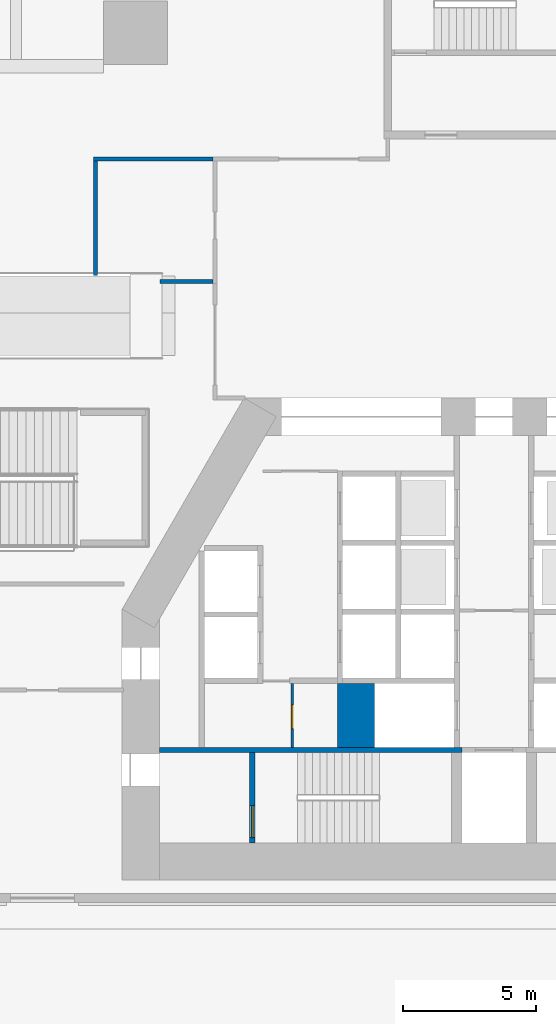
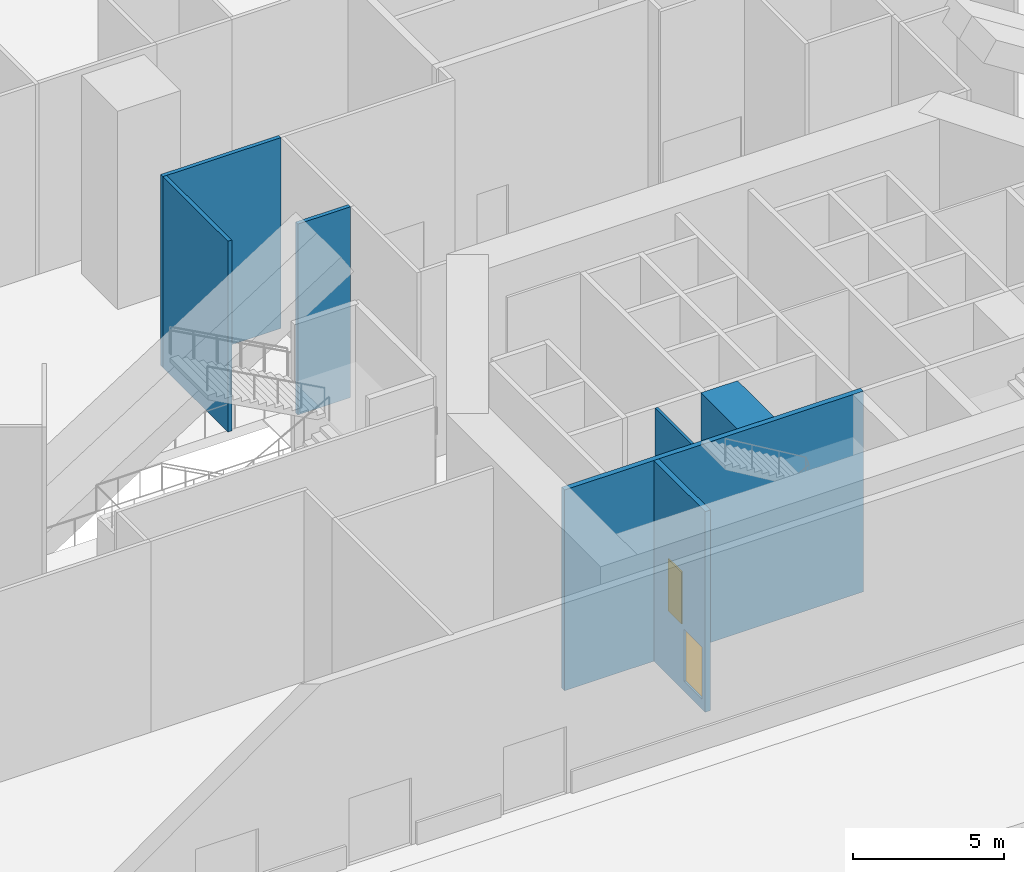
# One storey, part 12 of 24: 7 walls, 2 doors, 2 openings.
"""IFC4 building model written with IfcOpenShell, lengths in metres."""

from ifc_helpers import new_model, si_unit, direction, frame, frame_2d, origin, place, context, subcontext, project, spatial, rectangle, extrude, material, layer, layer_set, type_object, element, fill, save


model = new_model("IFC4")

# Units and contexts
model_context = context("Model", 3, precision=1e-05, world=origin(), true_north=direction((0.0, 1.0)))
body_context = subcontext(model_context, "Body", "Model", "MODEL_VIEW")
ifc_project = project(units=[si_unit("LENGTHUNIT", "METRE"), si_unit("AREAUNIT", "SQUARE_METRE"), si_unit("VOLUMEUNIT", "CUBIC_METRE"), si_unit("PLANEANGLEUNIT", "RADIAN"), si_unit("MASSUNIT", "GRAM", prefix="KILO")], contexts=[model_context])

# Site, building, storey
site_placement = place(None, origin())
site = spatial("IfcSite", under=ifc_project, at=site_placement, CompositionType="ELEMENT")
building_placement = place(site_placement, origin())
building = spatial("IfcBuilding", under=site, at=building_placement, Name="Fogline Exchange Tower", CompositionType="ELEMENT")
storey_placement = place(building_placement, origin())
storey = spatial("IfcBuildingStorey", under=building, at=storey_placement, Name="L00", CompositionType="ELEMENT", Elevation=0.0)

# Wall, opening, door
ifc_material_1 = material(Name="Blockwork partition", Category="masonry")
ifc_layer_1 = layer(ifc_material_1, 0.10009765625)
ifc_layer_set_1 = layer_set([ifc_layer_1], Name="CW10")
wall_type_1 = type_object("IfcWallType", Name="CW10", PredefinedType="PARTITIONING", material=ifc_layer_set_1)
wall_1_placement = place(storey_placement, frame((-7.60009765625, 5.85009765625, 0.0), z_axis=(0.0, 0.0, 1.0), x_axis=(0.0, 1.0, 0.0)))
wall_1 = element("IfcWall", 1, at=wall_1_placement, inside=storey, type_object=wall_type_1, Name="WC partition", PredefinedType="PARTITIONING", context=body_context, shape_type="SweptSolid", body=[
    extrude(rectangle(XDim=2.39990234375, YDim=0.10009765625, at=frame_2d((1.199951171875, 0.0))), origin(), (0.0, 0.0, 1.0), 7.699951171875),
])
opening_1_placement = place(wall_1_placement, frame((0.699951171875, 0.0, 0.0)))
opening_1 = element("IfcOpeningElement", 2, at=opening_1_placement, cuts=wall_1, Name="Opening P00-C009", PredefinedType="OPENING", context=body_context, shape_type="SweptSolid", body=[
    extrude(rectangle(XDim=0.89990234375, YDim=2.10009765625, at=frame_2d((0.449951171875, 1.050048828125))), frame((0.0, 0.06005859375, 0.0), z_axis=(0.0, -1.0, 0.0), x_axis=(1.0, 0.0, 0.0)), (0.0, 0.0, 1.0), 0.1201171875),
])
ifc_material_2 = material(Name="Steel and timber fire door", Category="steel")
door_type_1 = type_object("IfcDoorType", Name="D-CS1", OperationType="SINGLE_SWING_RIGHT", PredefinedType="DOOR", material=ifc_material_2)
door_1_placement = place(opening_1_placement, frame((0.89990234375, 0.0, 0.0), z_axis=(0.0, 0.0, 1.0), x_axis=(-1.0, 0.0, 0.0)))
door_1 = element("IfcDoor", 3, at=door_1_placement, inside=storey, type_object=door_type_1, Name="Door to Cleaner's Store", OperationType="SINGLE_SWING_RIGHT", OverallHeight=2.10009765625, OverallWidth=0.89990234375, PredefinedType="DOOR", context=body_context, shape_type="SweptSolid", body=[
    extrude(rectangle(XDim=0.89990234375, YDim=2.10009765625, at=frame_2d((0.449951171875, 1.050048828125))), frame((0.0, 0.02490234375, 0.0), z_axis=(0.0, -1.0, 0.0), x_axis=(1.0, 0.0, 0.0)), (0.0, 0.0, 1.0), 0.050048828125),
])
fill(opening_1, door_1)

# Walls
ifc_material_3 = material(Name="Concrete C60", Category="concrete")
ifc_layer_2 = layer(ifc_material_3, 1.39990234375)
ifc_layer_set_2 = layer_set([ifc_layer_2], Name="CW140")
wall_type_2 = type_object("IfcWallType", Name="CW140", PredefinedType="SOLIDWALL", material=ifc_layer_set_2)
wall_2_placement = place(storey_placement, frame((-5.199951171875, 5.85009765625, -0.39990234375), z_axis=(0.0, 0.0, 1.0), x_axis=(0.0, 1.0, 0.0)))
element("IfcWall", 4, at=wall_2_placement, inside=storey, type_object=wall_type_2, Name="Lift shaft block wall", PredefinedType="SOLIDWALL", context=body_context, shape_type="SweptSolid", body=[
    extrude(rectangle(XDim=2.39990234375, YDim=1.39990234375, at=frame_2d((1.199951171875, 0.0))), origin(), (0.0, 0.0, 1.0), 8.099853515625),
])
ifc_material_4 = material(Name="Concrete C40", Category="concrete")
ifc_layer_3 = layer(ifc_material_4, 0.199951171875)
ifc_layer_set_3 = layer_set([ifc_layer_3], Name="CW20R")
wall_type_3 = type_object("IfcWallType", Name="CW20R", PredefinedType="SOLIDWALL", material=ifc_layer_set_3)
wall_3_placement = place(storey_placement, frame((-12.60009765625, 5.75, -0.39990234375), z_axis=(0.0, 0.0, 1.0), x_axis=(1.0, 0.0, 0.0)))
element("IfcWall", 5, at=wall_3_placement, inside=storey, type_object=wall_type_3, Name="Stair enclosure wall", PredefinedType="SOLIDWALL", context=body_context, shape_type="SweptSolid", body=[
    extrude(rectangle(XDim=11.400146484375, YDim=0.199951171875, at=frame_2d((5.7001953125, 0.0))), origin(), (0.0, 0.0, 1.0), 8.099853515625),
])

# Wall, opening, door
wall_4_placement = place(storey_placement, frame((-9.10009765625, 2.25, -0.39990234375), z_axis=(0.0, 0.0, 1.0), x_axis=(0.0, 1.0, 0.0)))
wall_4 = element("IfcWall", 6, at=wall_4_placement, inside=storey, type_object=wall_type_3, Name="Stair enclosure wall", PredefinedType="SOLIDWALL", context=body_context, shape_type="SweptSolid", body=[
    extrude(rectangle(XDim=3.39990234375, YDim=0.199951171875, at=frame_2d((1.699951171875, 0.0))), origin(), (0.0, 0.0, 1.0), 8.099853515625),
])
opening_2_placement = place(wall_4_placement, frame((0.199951171875, 0.0, 0.39990234375)))
opening_2 = element("IfcOpeningElement", 7, at=opening_2_placement, cuts=wall_4, Name="Opening P00-C011", PredefinedType="OPENING", context=body_context, shape_type="SweptSolid", body=[
    extrude(rectangle(XDim=1.199951171875, YDim=2.10009765625, at=frame_2d((0.60009765625, 1.050048828125))), frame((0.0, 0.10986328125, 0.0), z_axis=(0.0, -1.0, 0.0), x_axis=(1.0, 0.0, 0.0)), (0.0, 0.0, 1.0), 0.219970703125),
])
door_type_2 = type_object("IfcDoorType", Name="D-ST1", OperationType="SINGLE_SWING_LEFT", PredefinedType="DOOR", material=ifc_material_2)
door_2_placement = place(opening_2_placement, frame((1.199951171875, 0.0, 0.0), z_axis=(0.0, 0.0, 1.0), x_axis=(-1.0, 0.0, 0.0)))
door_2 = element("IfcDoor", 8, at=door_2_placement, inside=storey, type_object=door_type_2, Name="Stair door ST1", OperationType="SINGLE_SWING_RIGHT", OverallHeight=2.10009765625, OverallWidth=1.199951171875, PredefinedType="DOOR", context=body_context, shape_type="SweptSolid", body=[
    extrude(rectangle(XDim=1.199951171875, YDim=2.10009765625, at=frame_2d((0.60009765625, 1.050048828125))), frame((0.0, 0.02490234375, 0.0), z_axis=(0.0, -1.0, 0.0), x_axis=(1.0, 0.0, 0.0)), (0.0, 0.0, 1.0), 0.050048828125),
])
fill(opening_2, door_2)

# Walls
ifc_material_5 = material(Name="Plasterboard on steel stud", Category="steel")
ifc_layer_4 = layer(ifc_material_5, 0.14990234375)
ifc_layer_set_4 = layer_set([ifc_layer_4], Name="PP1")
wall_type_4 = type_object("IfcWallType", Name="PP1", PredefinedType="PARTITIONING", material=ifc_layer_set_4)
wall_5_placement = place(storey_placement, frame((-10.574951171875, 23.39990234375, 0.0), z_axis=(0.0, 0.0, 1.0), x_axis=(-1.0, 0.0, 0.0)))
element("IfcWall", 9, at=wall_5_placement, inside=storey, type_object=wall_type_4, Name="PP1 partition", PredefinedType="PARTITIONING", context=body_context, shape_type="SweptSolid", body=[
    extrude(rectangle(XDim=2.0, YDim=0.14990234375, at=frame_2d((1.0, 0.0))), origin(), (0.0, 0.0, 1.0), 7.699951171875),
])
wall_6_placement = place(storey_placement, frame((-15.0, 23.625, 0.0), z_axis=(0.0, 0.0, 1.0), x_axis=(0.0, 1.0, 0.0)))
element("IfcWall", 10, at=wall_6_placement, inside=storey, type_object=wall_type_4, Name="PP1 partition", PredefinedType="PARTITIONING", context=body_context, shape_type="SweptSolid", body=[
    extrude(rectangle(XDim=4.300048828125, YDim=0.14990234375, at=frame_2d((2.14990234375, 0.0))), origin(), (0.0, 0.0, 1.0), 7.699951171875),
])
wall_7_placement = place(storey_placement, frame((-15.074951171875, 28.0, 0.0), z_axis=(0.0, 0.0, 1.0), x_axis=(1.0, 0.0, 0.0)))
element("IfcWall", 11, at=wall_7_placement, inside=storey, type_object=wall_type_4, Name="PP1 partition", PredefinedType="PARTITIONING", context=body_context, shape_type="SweptSolid", body=[
    extrude(rectangle(XDim=4.5, YDim=0.14990234375, at=frame_2d((2.25, 0.0))), origin(), (0.0, 0.0, 1.0), 7.699951171875),
])

save(model, "model.ifc")
